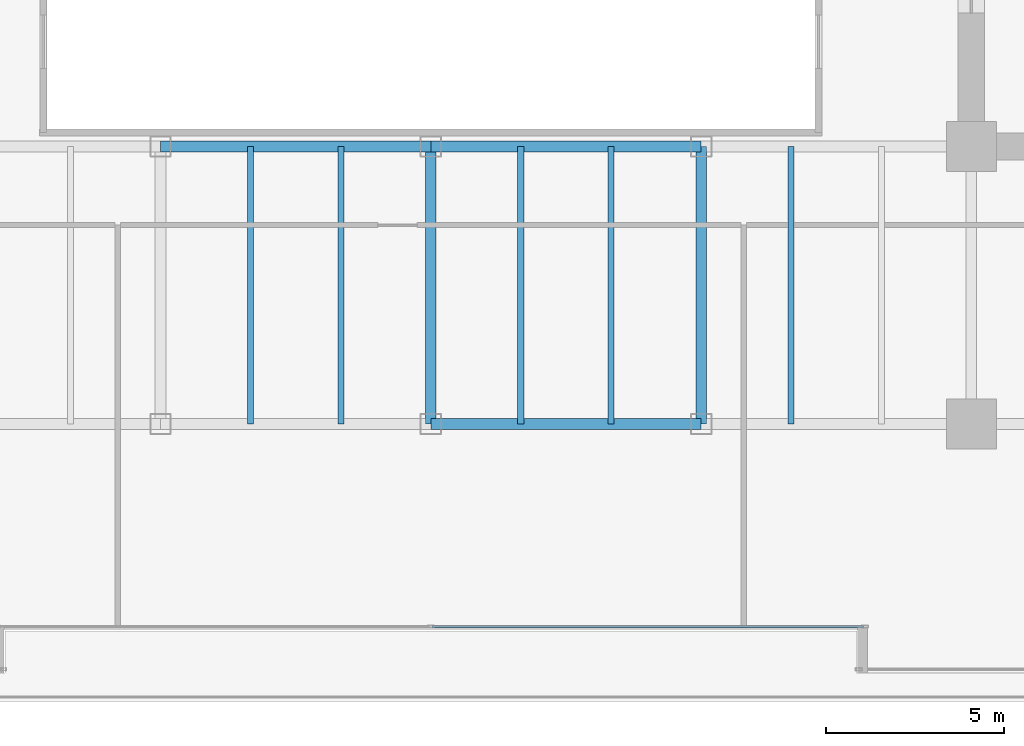
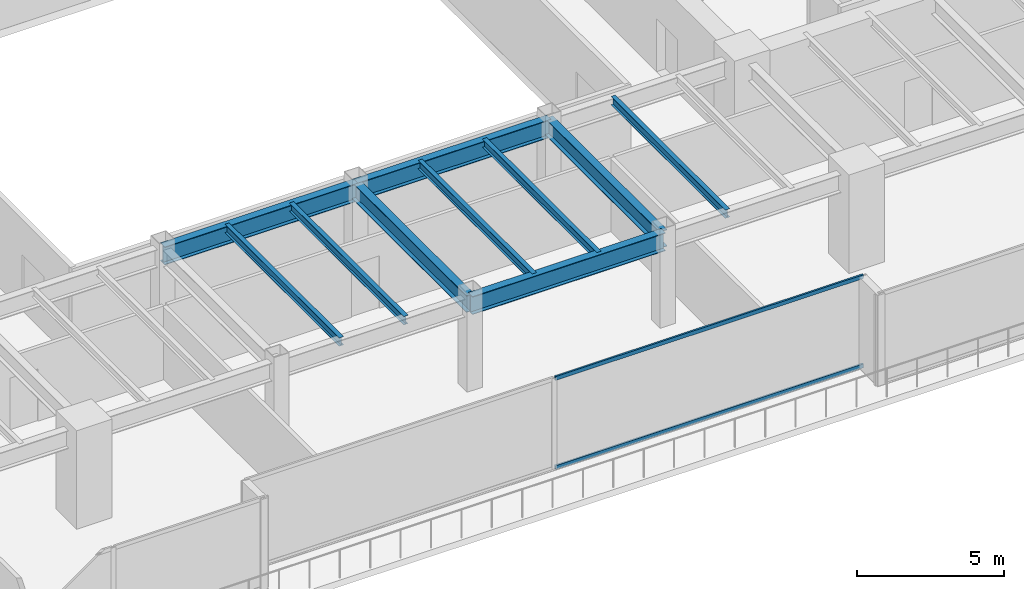
# One storey, part 9 of 36: 10 beams, 2 members, 1 element without a shape of its own.
"""IFC4 building model written with IfcOpenShell, lengths in metres."""

from ifc_helpers import new_model, si_unit, direction, frame, origin, origin_2d, place, context, subcontext, project, spatial, hollow_rectangle, i_section, extrude, source, transform, mapped, material, layer, layer_set, material_profile, profile_set, type_object, type_shapes, element, aggregate, save


model = new_model("IFC4")

# Units and contexts
model_context = context("Model", 3, precision=1e-05, world=origin(), true_north=direction((0.0, 1.0)))
body_context = subcontext(model_context, "Body", "Model", "MODEL_VIEW")
ifc_project = project(units=[si_unit("LENGTHUNIT", "METRE"), si_unit("AREAUNIT", "SQUARE_METRE"), si_unit("VOLUMEUNIT", "CUBIC_METRE"), si_unit("PLANEANGLEUNIT", "RADIAN"), si_unit("MASSUNIT", "GRAM", prefix="KILO")], contexts=[model_context])

# Site, building, storey
site_placement = place(None, origin())
site = spatial("IfcSite", under=ifc_project, at=site_placement, CompositionType="ELEMENT")
building_placement = place(site_placement, origin())
building = spatial("IfcBuilding", under=site, at=building_placement, Name="Haelvirn Gate Laboratories", CompositionType="ELEMENT")
storey_placement = place(building_placement, frame((0.0, 0.0, 25.199951171875)))
storey = spatial("IfcBuildingStorey", under=building, at=storey_placement, Name="L06", CompositionType="ELEMENT", Elevation=25.199951171875)

# Beams
ifc_material_1 = material(Name="Steel SM355", Category="steel")
ifc_material_profile_1 = material_profile(ifc_material_1, i_section(OverallWidth=0.300048828125, OverallDepth=0.699951171875, WebThickness=0.012939453125, FlangeThickness=0.02392578125, at=origin_2d()), Name="H-700x300x13x24")
ifc_profile_set_1 = profile_set([ifc_material_profile_1], Name="Steel SM355")
beam_type_1 = type_object("IfcBeamType", Name="BM-G-700", PredefinedType="BEAM", material=ifc_profile_set_1)
shared_shape_1 = source(origin(), body_context, "Body", "SweptSolid", [
    extrude(i_section(OverallWidth=0.300048828125, OverallDepth=0.699951171875, WebThickness=0.012939453125, FlangeThickness=0.02392578125, at=origin_2d()), origin(), (0.0, 0.0, 1.0), 7.800048828125),
])
type_shapes(beam_type_1, [shared_shape_1])
for number, where, z_axis, x_axis, name in (
    (1, (37.39990234375, 7.0, 3.429931640625), (0.0, 1.0, 0.0), (-1.0, 0.0, 0.0), "L06 Frame Girder X37.4 (7.0-14.8)"),
    (2, (45.0, 7.0, 3.429931640625), (0.0, 1.0, 0.0), (-1.0, 0.0, 0.0), "L06 Frame Girder X45.0 (7.0-14.8)"),
):
    element("IfcBeam", number, at=place(storey_placement, frame(where, z_axis=z_axis, x_axis=x_axis)), inside=storey, type_object=beam_type_1, Name=name, PredefinedType="BEAM", context=body_context, shape_type="MappedRepresentation", body=[
        mapped(shared_shape_1, transform((0.0, 0.0, 0.0), scale=1.0)),
    ])
ifc_material_profile_2 = material_profile(ifc_material_1, i_section(OverallWidth=0.300048828125, OverallDepth=0.75, WebThickness=0.013916015625, FlangeThickness=0.02392578125, at=origin_2d()), Name="H-750x300x14x24")
ifc_profile_set_2 = profile_set([ifc_material_profile_2], Name="Steel SM355")
beam_type_2 = type_object("IfcBeamType", Name="BM-G-750", PredefinedType="BEAM", material=ifc_profile_set_2)
shared_shape_2 = source(origin(), body_context, "Body", "SweptSolid", [
    extrude(i_section(OverallWidth=0.300048828125, OverallDepth=0.75, WebThickness=0.013916015625, FlangeThickness=0.02392578125, at=origin_2d()), origin(), (0.0, 0.0, 1.0), 7.60009765625),
])
for number, where, z_axis, x_axis, name in (
    (3, (37.39990234375, 7.0, 3.405029296875), (1.0, 0.0, 0.0), (0.0, 1.0, 0.0), "L06 Primary Girder Y7.0 (37.4-45.0)"),
    (4, (37.39990234375, 14.800048828125, 3.405029296875), (1.0, 0.0, 0.0), (0.0, 1.0, 0.0), "L06 Primary Girder Y14.8 (37.4-45.0)"),
):
    element("IfcBeam", number, at=place(storey_placement, frame(where, z_axis=z_axis, x_axis=x_axis)), inside=storey, type_object=beam_type_2, Name=name, PredefinedType="BEAM", context=body_context, shape_type="MappedRepresentation", body=[
        mapped(shared_shape_2, transform((0.0, 0.0, 0.0), scale=1.0)),
    ])
shared_shape_3 = source(origin(), body_context, "Body", "SweptSolid", [
    extrude(i_section(OverallWidth=0.300048828125, OverallDepth=0.75, WebThickness=0.013916015625, FlangeThickness=0.02392578125, at=origin_2d()), origin(), (0.0, 0.0, 1.0), 7.599853515625),
])
type_shapes(beam_type_2, [shared_shape_2, shared_shape_3])
beam_placement = place(storey_placement, frame((29.800048828125, 14.800048828125, 3.405029296875), z_axis=(1.0, 0.0, 0.0), x_axis=(0.0, 1.0, 0.0)))
element("IfcBeam", 5, at=beam_placement, inside=storey, type_object=beam_type_2, Name="L06 Primary Girder Y14.8 (29.8-37.4)", PredefinedType="BEAM", context=body_context, shape_type="MappedRepresentation", body=[
    mapped(shared_shape_3, transform((0.0, 0.0, 0.0), scale=1.0)),
])
ifc_material_profile_3 = material_profile(ifc_material_1, i_section(OverallWidth=0.175048828125, OverallDepth=0.35009765625, WebThickness=0.007080078125, FlangeThickness=0.010986328125, at=origin_2d()), Name="H-350x175x7x11")
ifc_profile_set_3 = profile_set([ifc_material_profile_3], Name="Steel SM355")
beam_type_3 = type_object("IfcBeamType", Name="BM-J-350", PredefinedType="JOIST", material=ifc_profile_set_3)
shared_shape_4 = source(origin(), body_context, "Body", "SweptSolid", [
    extrude(i_section(OverallWidth=0.175048828125, OverallDepth=0.35009765625, WebThickness=0.007080078125, FlangeThickness=0.010986328125, at=origin_2d()), origin(), (0.0, 0.0, 1.0), 7.800048828125),
])
type_shapes(beam_type_3, [shared_shape_4])
for number, where, z_axis, x_axis, name in (
    (6, (32.330078125, 7.0, 3.60498046875), (0.0, 1.0, 0.0), (-1.0, 0.0, 0.0), "L06 Composite Lab Joist South X32.33"),
    (7, (34.8701171875, 7.0, 3.60498046875), (0.0, 1.0, 0.0), (-1.0, 0.0, 0.0), "L06 Composite Lab Joist South X34.87"),
    (8, (39.929931640625, 7.0, 3.60498046875), (0.0, 1.0, 0.0), (-1.0, 0.0, 0.0), "L06 Composite Lab Joist South X39.93"),
    (9, (42.469970703125, 7.0, 3.60498046875), (0.0, 1.0, 0.0), (-1.0, 0.0, 0.0), "L06 Composite Lab Joist South X42.47"),
    (10, (47.530029296875, 7.0, 3.60498046875), (0.0, 1.0, 0.0), (-1.0, 0.0, 0.0), "L06 Composite Lab Joist South X47.53"),
):
    element("IfcBeam", number, at=place(storey_placement, frame(where, z_axis=z_axis, x_axis=x_axis)), inside=storey, type_object=beam_type_3, Name=name, PredefinedType="JOIST", context=body_context, shape_type="MappedRepresentation", body=[
        mapped(shared_shape_4, transform((0.0, 0.0, 0.0), scale=1.0)),
    ])

# Curtain wall, members
ifc_material_2 = material(Name="Anodised bronze unitised aluminium & triple low-E glass", Category="aluminium")
ifc_layer = layer(ifc_material_2, 0.18408203125, Name="CW-SYS-2")
ifc_layer_set = layer_set([ifc_layer], Name="Anodised bronze unitised aluminium & triple low-E glass")
curtain_wall_type = type_object("IfcCurtainWallType", Name="CW-SYS-2", PredefinedType="NOTDEFINED", material=ifc_layer_set)
curtain_wall_placement = place(storey_placement, origin())
curtain_wall = element("IfcCurtainWall", 11, at=curtain_wall_placement, inside=storey, type_object=curtain_wall_type, Name="L06 Unitised Curtain Wall CW-L06-P0-E02-1", PredefinedType="NOTDEFINED")
ifc_material_3 = material(Name="Extruded aluminium 6063-T6 (anodised bronze)", Category="aluminium")
ifc_material_profile_4 = material_profile(ifc_material_3, hollow_rectangle(XDim=0.070068359375, YDim=0.159912109375, WallThickness=0.0048828125, at=origin_2d()), Name="CWT-160x70x5")
ifc_profile_set_4 = profile_set([ifc_material_profile_4], Name="Extruded aluminium 6063-T6 (anodised bronze)")
member_type = type_object("IfcMemberType", Name="CWT-T160", PredefinedType="USERDEFINED", material=ifc_profile_set_4)
shared_shape_5 = source(origin(), body_context, "Body", "SweptSolid", [
    extrude(hollow_rectangle(XDim=0.070068359375, YDim=0.159912109375, WallThickness=0.0048828125, at=origin_2d()), origin(), (0.0, 0.0, 1.0), 12.12744140625),
])
type_shapes(member_type, [shared_shape_5])
member_1_placement = place(storey_placement, frame((37.4375, 1.300048828125, 0.03515625), z_axis=(1.0, 0.0, 0.0), x_axis=(0.0, 1.0, 0.0)))
member_1 = element("IfcMember", 12, at=member_1_placement, type_object=member_type, Name="CW2 transom 2.1", ObjectType="TRANSOM", PredefinedType="USERDEFINED", context=body_context, shape_type="MappedRepresentation", body=[
    mapped(shared_shape_5, transform((0.0, 0.0, 0.0), scale=1.0)),
])
member_2_placement = place(storey_placement, frame((37.4375, 1.300048828125, 3.7451171875), z_axis=(1.0, 0.0, 0.0), x_axis=(0.0, 1.0, 0.0)))
member_2 = element("IfcMember", 13, at=member_2_placement, type_object=member_type, Name="CW2 transom 2.2", ObjectType="TRANSOM", PredefinedType="USERDEFINED", context=body_context, shape_type="MappedRepresentation", body=[
    mapped(shared_shape_5, transform((0.0, 0.0, 0.0), scale=1.0)),
])
aggregate(curtain_wall, [member_1, member_2])

save(model, "model.ifc")
